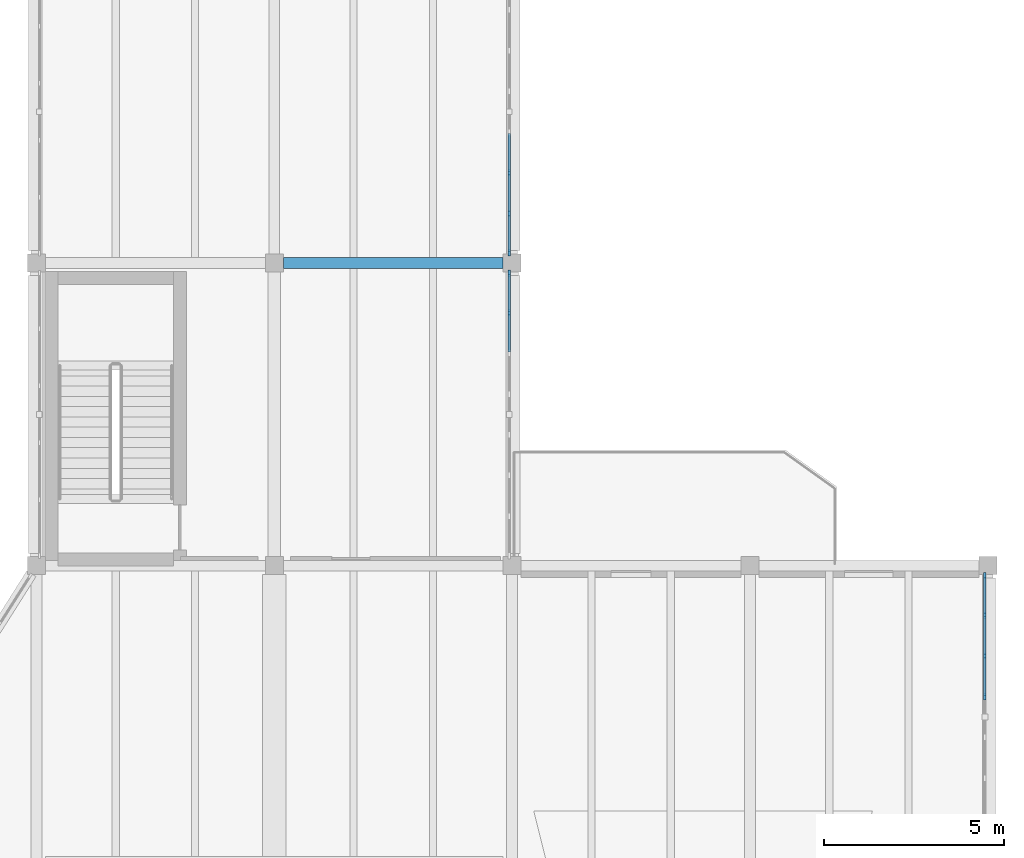
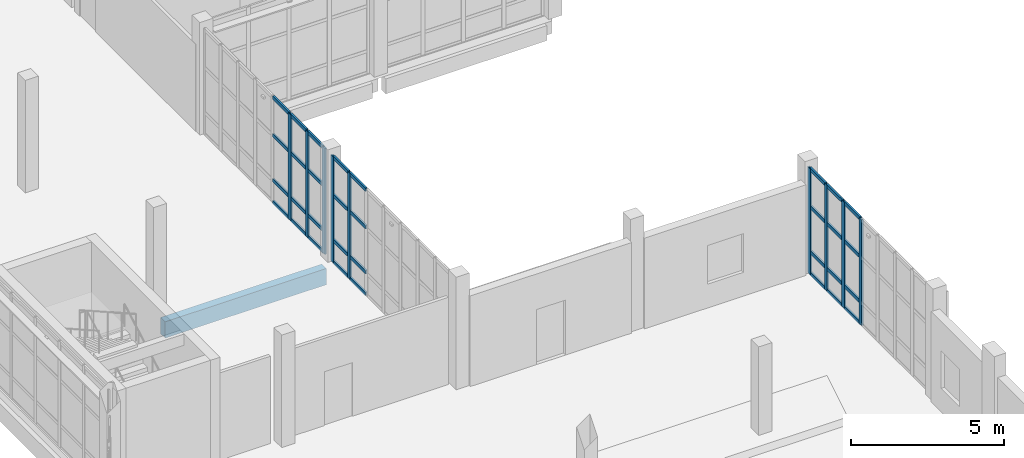
# One storey, part 26 of 76: 41 members, 1 beam, 3 elements without a shape of their own.
"""IFC4 building model written with IfcOpenShell, lengths in metres."""

import ifcopenshell
import ifcopenshell.guid

model = None  # the IFC model being written
_history = None  # IfcOwnerHistory: only IFC2X3 demands one
_inside = {}  # id of a spatial element -> (the spatial element, [elements in it])
_under = {}  # id of a project, library or spatial element -> (it, [spatial elements below it])
_declared = {}  # id of a project -> (the project, [libraries it declares])
_typed = {}  # id of a type object -> (the type object, [elements of that type])
_made_of = {}  # id of a material, layer set ... -> (it, [elements and type objects made of it])


def new_model(schema):
    """Start an empty IFC model of exactly this schema.

    Asked for "IFC4X3", IfcOpenShell would pick the latest addendum, in which some entities
    have other attributes; the version numbers below select the first issue.
    IFC2X3 requires an IfcOwnerHistory on every rooted entity: one is made here for all.
    """
    global model, _history
    if schema == "IFC4X3":
        model = ifcopenshell.file(schema_version=(4, 3, 0, 0))
    else:
        model = ifcopenshell.file(schema=schema)
    _inside.clear()
    _under.clear()
    _declared.clear()
    _typed.clear()
    _made_of.clear()
    _history = None
    if model.schema == "IFC2X3":
        org = make("IfcOrganization", Name="unknown")
        user = make(
            "IfcPersonAndOrganization",
            ThePerson=make("IfcPerson", FamilyName="unknown"),
            TheOrganization=org,
        )
        app = make(
            "IfcApplication",
            ApplicationDeveloper=org,
            Version="unknown",
            ApplicationFullName="unknown",
            ApplicationIdentifier="unknown",
        )
        _history = make(
            "IfcOwnerHistory",
            OwningUser=user,
            OwningApplication=app,
            ChangeAction="ADDED",
            CreationDate=0,
        )
    return model


def make(cls, **values):
    """One entity of the class cls with the attributes given. An attribute that is None is left unset."""
    return model.create_entity(
        cls, **{name: value for name, value in values.items() if value is not None}
    )


def rooted(cls, **values):
    """An entity with a GlobalId (a new one), such as an element, a storey or a relation."""
    return make(cls, GlobalId=ifcopenshell.guid.new(), OwnerHistory=_history, **values)


def si_unit(unit_type, name, prefix=None):
    """IfcSIUnit, for example si_unit("LENGTHUNIT", "METRE", prefix="MILLI")."""
    return make("IfcSIUnit", UnitType=unit_type, Prefix=prefix, Name=name)


def assignment(units):
    """IfcUnitAssignment: the units of a project."""
    return None if units is None else make("IfcUnitAssignment", Units=units)


def point(xyz):
    """IfcCartesianPoint."""
    return None if xyz is None else make("IfcCartesianPoint", Coordinates=xyz)


def direction(xyz):
    """IfcDirection."""
    return None if xyz is None else make("IfcDirection", DirectionRatios=xyz)


def frame(location, z_axis=None, x_axis=None):
    """IfcAxis2Placement3D, a coordinate frame: its origin and axes. An axis left out is left unset."""
    return make(
        "IfcAxis2Placement3D",
        Location=point(location),
        Axis=direction(z_axis),
        RefDirection=direction(x_axis),
    )


def frame_2d(location, x_axis=None):
    """IfcAxis2Placement2D, a coordinate frame in the plane: its origin and x axis."""
    return make(
        "IfcAxis2Placement2D", Location=point(location), RefDirection=direction(x_axis)
    )


def origin():
    """The frame at (0, 0, 0) with its axes left unset."""
    return frame((0.0, 0.0, 0.0))


def origin_2d():
    """The frame at (0, 0) in the plane with its x axis left unset."""
    return frame_2d((0.0, 0.0))


def place(relative_to, where):
    """IfcLocalPlacement: puts the frame where relative to a parent placement (None: the world)."""
    return make(
        "IfcLocalPlacement", PlacementRelTo=relative_to, RelativePlacement=where
    )


def context(
    kind, dimensions, precision=None, world=None, true_north=None, identifier=None
):
    """IfcGeometricRepresentationContext, for example the 3D "Model" context."""
    return make(
        "IfcGeometricRepresentationContext",
        ContextIdentifier=identifier,
        ContextType=kind,
        CoordinateSpaceDimension=dimensions,
        Precision=precision,
        WorldCoordinateSystem=world,
        TrueNorth=true_north,
    )


def subcontext(parent, identifier, kind, view, scale=None):
    """IfcGeometricRepresentationSubContext, for example "Body" below "Model"."""
    return make(
        "IfcGeometricRepresentationSubContext",
        ContextIdentifier=identifier,
        ContextType=kind,
        ParentContext=parent,
        TargetScale=scale,
        TargetView=view,
    )


def project(units=None, contexts=None):
    """IfcProject with its units and contexts."""
    return rooted(
        "IfcProject",
        Name="project",
        RepresentationContexts=contexts,
        UnitsInContext=assignment(units),
    )


def spatial(cls, under=None, at=None, **own):
    """A site, building, storey or space (cls), placed at a placement, below another one or the project."""
    s = rooted(cls, ObjectPlacement=at, **own)
    if under is not None:
        _under.setdefault(under.id(), (under, []))[1].append(s)
    return s


def profile(cls, at=None, kind="AREA", **sizes):
    """A parametric profile (cls). Its sizes go by their IFC names, for example OverallWidth=200.0."""
    return make(cls, ProfileType=kind, Position=at, **sizes)


def rectangle(**sizes):
    """IfcRectangleProfileDef."""
    return profile("IfcRectangleProfileDef", **sizes)


def extrude(swept, where, along, depth):
    """IfcExtrudedAreaSolid: the profile swept, set in the frame where, extruded along a direction by depth."""
    return make(
        "IfcExtrudedAreaSolid",
        SweptArea=swept,
        Position=where,
        ExtrudedDirection=direction(along),
        Depth=depth,
    )


def shape(context_of_items, identifier, shape_type, items):
    """IfcShapeRepresentation: the items that make up one representation, for example the "Body"."""
    return make(
        "IfcShapeRepresentation",
        ContextOfItems=context_of_items,
        RepresentationIdentifier=identifier,
        RepresentationType=shape_type,
        Items=items,
    )


def material(Name=None, Category=None):
    """IfcMaterial."""
    return make("IfcMaterial", Name=Name, Category=Category)


def material_profile(
    of_material, cross_section, Name=None, Category=None, Priority=None
):
    """IfcMaterialProfile: a cross section and its material."""
    return make(
        "IfcMaterialProfile",
        Name=Name,
        Material=of_material,
        Profile=cross_section,
        Priority=Priority,
        Category=Category,
    )


def profile_set(profiles, Name=None, composite=None):
    """IfcMaterialProfileSet."""
    return make(
        "IfcMaterialProfileSet",
        Name=Name,
        MaterialProfiles=profiles,
        CompositeProfile=composite,
    )


def made_of(thing, what):
    """Note that an element or type object is made of a material, layer set ...; save() writes the relation."""
    if what is not None:
        _made_of.setdefault(what.id(), (what, []))[1].append(thing)
    return thing


def type_object(cls, material=None, **own):
    """A type object (cls), such as IfcWallType, which elements share."""
    return made_of(rooted(cls, **own), material)


def element(
    cls,
    number,
    at=None,
    inside=None,
    cuts=None,
    type_object=None,
    material=None,
    context=None,
    identifier="Body",
    shape_type=None,
    held_by="IfcProductDefinitionShape",
    body=None,
    shapes=None,
    **own,
):
    """One element of the class cls, such as IfcWall. Its Tag is "e" and its number.

    at: its placement. inside: the storey or other place that contains it. cuts: it is an
    opening in that element (IfcRelVoidsElement). A single representation is given by context,
    identifier, shape_type and body (its items); several are given by shapes. held_by: the class
    of the entity that holds the representations. save() writes the other relations.
    """
    e = rooted(cls, Tag="e%d" % number, ObjectPlacement=at, **own)
    if body is not None:
        shapes = [shape(context, identifier, shape_type, body)]
    if shapes is not None:
        e.Representation = make(held_by, Representations=shapes)
    if inside is not None:
        _inside.setdefault(inside.id(), (inside, []))[1].append(e)
    if cuts is not None:
        rooted(
            "IfcRelVoidsElement", RelatingBuildingElement=cuts, RelatedOpeningElement=e
        )
    if type_object is not None:
        _typed.setdefault(type_object.id(), (type_object, []))[1].append(e)
    return made_of(e, material)


def aggregate(whole, parts):
    """IfcRelAggregates: a whole, such as a stair, and the parts it consists of."""
    return rooted("IfcRelAggregates", RelatingObject=whole, RelatedObjects=parts)


def save(model, path):
    """Write the relations noted so far, then the file.

    IfcRelAggregates (storeys below a building ...), IfcRelContainedInSpatialStructure (elements
    in a storey), IfcRelDefinesByType, IfcRelAssociatesMaterial and IfcRelDeclares: one each for
    every whole, place, type object, material and project.
    """
    for whole, parts in _under.values():
        aggregate(whole, parts)
    for where, things in _inside.values():
        rooted(
            "IfcRelContainedInSpatialStructure",
            RelatedElements=things,
            RelatingStructure=where,
        )
    for kind, things in _typed.values():
        rooted("IfcRelDefinesByType", RelatedObjects=things, RelatingType=kind)
    for what, things in _made_of.values():
        rooted("IfcRelAssociatesMaterial", RelatedObjects=things, RelatingMaterial=what)
    for by, libraries in _declared.values():
        rooted("IfcRelDeclares", RelatingContext=by, RelatedDefinitions=libraries)
    model.write(path)


model = new_model("IFC4")

# Units and contexts
model_context = context("Model", 3, precision=1e-05, world=origin(), true_north=direction((0.0, 1.0)))
body_context = subcontext(model_context, "Body", "Model", "MODEL_VIEW")
ifc_project = project(units=[si_unit("LENGTHUNIT", "METRE"), si_unit("AREAUNIT", "SQUARE_METRE"), si_unit("VOLUMEUNIT", "CUBIC_METRE"), si_unit("PLANEANGLEUNIT", "RADIAN"), si_unit("MASSUNIT", "GRAM", prefix="KILO")], contexts=[model_context])

# Site, building, storey
site_placement = place(None, origin())
site = spatial("IfcSite", under=ifc_project, at=site_placement, CompositionType="ELEMENT")
building_placement = place(site_placement, origin())
building = spatial("IfcBuilding", under=site, at=building_placement, Name="Qaldarim Faculty of Natural and Applied Sciences", CompositionType="ELEMENT")
storey_placement = place(building_placement, frame((0.0, 0.0, 9.89990234375)))
storey = spatial("IfcBuildingStorey", under=building, at=storey_placement, Name="L02", CompositionType="ELEMENT", Elevation=9.89990234375)

# Curtain wall, members
ifc_material_1 = material(Name="Anodised aluminium AW-6063", Category="aluminium")
curtain_wall_type = type_object("IfcCurtainWallType", Name="CurtainWallSystem-M1200", PredefinedType="USERDEFINED", material=ifc_material_1)
curtain_wall_1_placement = place(storey_placement, origin())
curtain_wall_1 = element("IfcCurtainWall", 1, at=curtain_wall_1_placement, inside=storey, type_object=curtain_wall_type, Name="Curtain wall CW-L02-E-X25Y11", ObjectType="STICK CURTAIN WALL", PredefinedType="USERDEFINED")
ifc_material_profile_1 = material_profile(ifc_material_1, rectangle(XDim=0.070068359375, YDim=0.179931640625, at=origin_2d()), Name="ALU-M70x180")
ifc_profile_set_1 = profile_set([ifc_material_profile_1], Name="Anodised aluminium AW-6063")
member_type_1 = type_object("IfcMemberType", Name="Mullion-ALU70x180", PredefinedType="MULLION", material=ifc_profile_set_1)
member_1_placement = place(storey_placement, frame((164.919921875, 91.02490234375, 0.0), z_axis=(0.0, 0.0, 1.0), x_axis=(-1.0, 0.0, 0.0)))
member_1 = element("IfcMember", 2, at=member_1_placement, type_object=member_type_1, Name="Mullion 7 of CW-L02-E-X25Y11", PredefinedType="MULLION", context=body_context, shape_type="SweptSolid", body=[
    extrude(rectangle(XDim=0.070068359375, YDim=0.179931640625, at=origin_2d()), origin(), (0.0, 0.0, 1.0), 4.239990234375),
])
member_2_placement = place(storey_placement, frame((164.919921875, 92.1201171875, 0.0), z_axis=(0.0, 0.0, 1.0), x_axis=(-1.0, 0.0, 0.0)))
member_2 = element("IfcMember", 3, at=member_2_placement, type_object=member_type_1, Name="Mullion 8 of CW-L02-E-X25Y11", PredefinedType="MULLION", context=body_context, shape_type="SweptSolid", body=[
    extrude(rectangle(XDim=0.070068359375, YDim=0.179931640625, at=origin_2d()), origin(), (0.0, 0.0, 1.0), 4.239990234375),
])

curtain_wall_2_placement = place(storey_placement, origin())
curtain_wall_2 = element("IfcCurtainWall", 4, at=curtain_wall_2_placement, inside=storey, type_object=curtain_wall_type, Name="Curtain wall CW-L02-E-X25Y12", ObjectType="STICK CURTAIN WALL", PredefinedType="USERDEFINED")
member_3_placement = place(storey_placement, frame((164.919921875, 92.679931640625, 0.0), z_axis=(0.0, 0.0, 1.0), x_axis=(-1.0, 0.0, 0.0)))
member_3 = element("IfcMember", 5, at=member_3_placement, type_object=member_type_1, Name="Mullion 1 of CW-L02-E-X25Y12", PredefinedType="MULLION", context=body_context, shape_type="SweptSolid", body=[
    extrude(rectangle(XDim=0.070068359375, YDim=0.179931640625, at=origin_2d()), origin(), (0.0, 0.0, 1.0), 4.239990234375),
])
member_4_placement = place(storey_placement, frame((164.919921875, 93.77490234375, 0.0), z_axis=(0.0, 0.0, 1.0), x_axis=(-1.0, 0.0, 0.0)))
member_4 = element("IfcMember", 6, at=member_4_placement, type_object=member_type_1, Name="Mullion 2 of CW-L02-E-X25Y12", PredefinedType="MULLION", context=body_context, shape_type="SweptSolid", body=[
    extrude(rectangle(XDim=0.070068359375, YDim=0.179931640625, at=origin_2d()), origin(), (0.0, 0.0, 1.0), 4.239990234375),
])
member_5_placement = place(storey_placement, frame((164.919921875, 94.905029296875, 0.0), z_axis=(0.0, 0.0, 1.0), x_axis=(-1.0, 0.0, 0.0)))
member_5 = element("IfcMember", 7, at=member_5_placement, type_object=member_type_1, Name="Mullion 3 of CW-L02-E-X25Y12", PredefinedType="MULLION", context=body_context, shape_type="SweptSolid", body=[
    extrude(rectangle(XDim=0.070068359375, YDim=0.179931640625, at=origin_2d()), origin(), (0.0, 0.0, 1.0), 4.239990234375),
])

curtain_wall_3_placement = place(storey_placement, origin())
curtain_wall_3 = element("IfcCurtainWall", 8, at=curtain_wall_3_placement, inside=storey, type_object=curtain_wall_type, Name="Curtain wall CW-L02-E-X27Y10", ObjectType="STICK CURTAIN WALL", PredefinedType="USERDEFINED")
member_6_placement = place(storey_placement, frame((178.1201171875, 80.364990234375, 0.0), z_axis=(0.0, 0.0, 1.0), x_axis=(-1.0, 0.0, 0.0)))
member_6 = element("IfcMember", 9, at=member_6_placement, type_object=member_type_1, Name="Mullion 5 of CW-L02-E-X27Y10", PredefinedType="MULLION", context=body_context, shape_type="SweptSolid", body=[
    extrude(rectangle(XDim=0.070068359375, YDim=0.179931640625, at=origin_2d()), origin(), (0.0, 0.0, 1.0), 4.239990234375),
])
member_7_placement = place(storey_placement, frame((178.1201171875, 81.4951171875, 0.0), z_axis=(0.0, 0.0, 1.0), x_axis=(-1.0, 0.0, 0.0)))
member_7 = element("IfcMember", 10, at=member_7_placement, type_object=member_type_1, Name="Mullion 6 of CW-L02-E-X27Y10", PredefinedType="MULLION", context=body_context, shape_type="SweptSolid", body=[
    extrude(rectangle(XDim=0.070068359375, YDim=0.179931640625, at=origin_2d()), origin(), (0.0, 0.0, 1.0), 4.239990234375),
])
member_8_placement = place(storey_placement, frame((178.1201171875, 82.625, 0.0), z_axis=(0.0, 0.0, 1.0), x_axis=(-1.0, 0.0, 0.0)))
member_8 = element("IfcMember", 11, at=member_8_placement, type_object=member_type_1, Name="Mullion 7 of CW-L02-E-X27Y10", PredefinedType="MULLION", context=body_context, shape_type="SweptSolid", body=[
    extrude(rectangle(XDim=0.070068359375, YDim=0.179931640625, at=origin_2d()), origin(), (0.0, 0.0, 1.0), 4.239990234375),
])
member_9_placement = place(storey_placement, frame((178.1201171875, 83.719970703125, 0.0), z_axis=(0.0, 0.0, 1.0), x_axis=(-1.0, 0.0, 0.0)))
member_9 = element("IfcMember", 12, at=member_9_placement, type_object=member_type_1, Name="Mullion 8 of CW-L02-E-X27Y10", PredefinedType="MULLION", context=body_context, shape_type="SweptSolid", body=[
    extrude(rectangle(XDim=0.070068359375, YDim=0.179931640625, at=origin_2d()), origin(), (0.0, 0.0, 1.0), 4.239990234375),
])

# Beam
ifc_material_2 = material(Name="Concrete C40/50", Category="concrete")
ifc_material_profile_2 = material_profile(ifc_material_2, rectangle(XDim=0.300048828125, YDim=0.64990234375, at=origin_2d()), Name="RC-B300x650")
ifc_profile_set_2 = profile_set([ifc_material_profile_2], Name="Concrete C40/50")
beam_type = type_object("IfcBeamType", Name="PrimaryBeam-RC300x650", PredefinedType="BEAM", material=ifc_profile_set_2)
beam_placement = place(storey_placement, frame((158.64990234375, 92.39990234375, -0.625), z_axis=(1.0, 0.0, 0.0), x_axis=(0.0, 1.0, 0.0)))
element("IfcBeam", 13, at=beam_placement, inside=storey, type_object=beam_type, Name="Beam RC-B300x650 L01 X25-X26/Y12", PredefinedType="BEAM", context=body_context, shape_type="SweptSolid", body=[
    extrude(rectangle(XDim=0.300048828125, YDim=0.64990234375, at=origin_2d()), origin(), (0.0, 0.0, 1.0), 6.10009765625),
])

# Member
ifc_material_profile_3 = material_profile(ifc_material_1, rectangle(XDim=0.070068359375, YDim=0.139892578125, at=origin_2d()), Name="ALU-T70x140")
ifc_profile_set_3 = profile_set([ifc_material_profile_3], Name="Anodised aluminium AW-6063")
member_type_2 = type_object("IfcMemberType", Name="Transom-ALU70x140", PredefinedType="USERDEFINED", material=ifc_profile_set_3)
member_10_placement = place(storey_placement, frame((164.919921875, 89.929931640625, 0.03515625), z_axis=(0.0, 1.0, 0.0), x_axis=(-1.0, 0.0, 0.0)))
member_10 = element("IfcMember", 14, at=member_10_placement, type_object=member_type_2, Name="Transom 6-1 of CW-L02-E-X25Y11", ObjectType="TRANSOM", PredefinedType="USERDEFINED", context=body_context, shape_type="SweptSolid", body=[
    extrude(rectangle(XDim=0.070068359375, YDim=0.139892578125, at=origin_2d()), origin(), (0.0, 0.0, 1.0), 1.06005859375),
])

member_11_placement = place(storey_placement, frame((164.919921875, 89.929931640625, 0.900146484375), z_axis=(0.0, 1.0, 0.0), x_axis=(-1.0, 0.0, 0.0)))
member_11 = element("IfcMember", 15, at=member_11_placement, type_object=member_type_2, Name="Transom 6-2 of CW-L02-E-X25Y11", ObjectType="TRANSOM", PredefinedType="USERDEFINED", context=body_context, shape_type="SweptSolid", body=[
    extrude(rectangle(XDim=0.070068359375, YDim=0.139892578125, at=origin_2d()), origin(), (0.0, 0.0, 1.0), 1.06005859375),
])

member_12_placement = place(storey_placement, frame((164.919921875, 89.929931640625, 2.7001953125), z_axis=(0.0, 1.0, 0.0), x_axis=(-1.0, 0.0, 0.0)))
member_12 = element("IfcMember", 16, at=member_12_placement, type_object=member_type_2, Name="Transom 6-3 of CW-L02-E-X25Y11", ObjectType="TRANSOM", PredefinedType="USERDEFINED", context=body_context, shape_type="SweptSolid", body=[
    extrude(rectangle(XDim=0.070068359375, YDim=0.139892578125, at=origin_2d()), origin(), (0.0, 0.0, 1.0), 1.06005859375),
])

member_13_placement = place(storey_placement, frame((164.919921875, 89.929931640625, 4.205078125), z_axis=(0.0, 1.0, 0.0), x_axis=(-1.0, 0.0, 0.0)))
member_13 = element("IfcMember", 17, at=member_13_placement, type_object=member_type_2, Name="Transom 6-4 of CW-L02-E-X25Y11", ObjectType="TRANSOM", PredefinedType="USERDEFINED", context=body_context, shape_type="SweptSolid", body=[
    extrude(rectangle(XDim=0.070068359375, YDim=0.139892578125, at=origin_2d()), origin(), (0.0, 0.0, 1.0), 1.06005859375),
])

member_14_placement = place(storey_placement, frame((164.919921875, 91.06005859375, 0.03515625), z_axis=(0.0, 1.0, 0.0), x_axis=(-1.0, 0.0, 0.0)))
member_14 = element("IfcMember", 18, at=member_14_placement, type_object=member_type_2, Name="Transom 7-1 of CW-L02-E-X25Y11", ObjectType="TRANSOM", PredefinedType="USERDEFINED", context=body_context, shape_type="SweptSolid", body=[
    extrude(rectangle(XDim=0.070068359375, YDim=0.139892578125, at=origin_2d()), origin(), (0.0, 0.0, 1.0), 1.02490234375),
])

member_15_placement = place(storey_placement, frame((164.919921875, 91.06005859375, 0.900146484375), z_axis=(0.0, 1.0, 0.0), x_axis=(-1.0, 0.0, 0.0)))
member_15 = element("IfcMember", 19, at=member_15_placement, type_object=member_type_2, Name="Transom 7-2 of CW-L02-E-X25Y11", ObjectType="TRANSOM", PredefinedType="USERDEFINED", context=body_context, shape_type="SweptSolid", body=[
    extrude(rectangle(XDim=0.070068359375, YDim=0.139892578125, at=origin_2d()), origin(), (0.0, 0.0, 1.0), 1.02490234375),
])

member_16_placement = place(storey_placement, frame((164.919921875, 91.06005859375, 2.7001953125), z_axis=(0.0, 1.0, 0.0), x_axis=(-1.0, 0.0, 0.0)))
member_16 = element("IfcMember", 20, at=member_16_placement, type_object=member_type_2, Name="Transom 7-3 of CW-L02-E-X25Y11", ObjectType="TRANSOM", PredefinedType="USERDEFINED", context=body_context, shape_type="SweptSolid", body=[
    extrude(rectangle(XDim=0.070068359375, YDim=0.139892578125, at=origin_2d()), origin(), (0.0, 0.0, 1.0), 1.02490234375),
])

member_17_placement = place(storey_placement, frame((164.919921875, 91.06005859375, 4.205078125), z_axis=(0.0, 1.0, 0.0), x_axis=(-1.0, 0.0, 0.0)))
member_17 = element("IfcMember", 21, at=member_17_placement, type_object=member_type_2, Name="Transom 7-4 of CW-L02-E-X25Y11", ObjectType="TRANSOM", PredefinedType="USERDEFINED", context=body_context, shape_type="SweptSolid", body=[
    extrude(rectangle(XDim=0.070068359375, YDim=0.139892578125, at=origin_2d()), origin(), (0.0, 0.0, 1.0), 1.02490234375),
])

aggregate(curtain_wall_1, [member_1, member_2, member_10, member_11, member_12, member_13, member_14, member_15, member_16, member_17])

member_18_placement = place(storey_placement, frame((164.919921875, 92.715087890625, 0.03515625), z_axis=(0.0, 1.0, 0.0), x_axis=(-1.0, 0.0, 0.0)))
member_18 = element("IfcMember", 22, at=member_18_placement, type_object=member_type_2, Name="Transom 1-1 of CW-L02-E-X25Y12", ObjectType="TRANSOM", PredefinedType="USERDEFINED", context=body_context, shape_type="SweptSolid", body=[
    extrude(rectangle(XDim=0.070068359375, YDim=0.139892578125, at=origin_2d()), origin(), (0.0, 0.0, 1.0), 1.02490234375),
])

member_19_placement = place(storey_placement, frame((164.919921875, 92.715087890625, 0.900146484375), z_axis=(0.0, 1.0, 0.0), x_axis=(-1.0, 0.0, 0.0)))
member_19 = element("IfcMember", 23, at=member_19_placement, type_object=member_type_2, Name="Transom 1-2 of CW-L02-E-X25Y12", ObjectType="TRANSOM", PredefinedType="USERDEFINED", context=body_context, shape_type="SweptSolid", body=[
    extrude(rectangle(XDim=0.070068359375, YDim=0.139892578125, at=origin_2d()), origin(), (0.0, 0.0, 1.0), 1.02490234375),
])

member_20_placement = place(storey_placement, frame((164.919921875, 92.715087890625, 2.7001953125), z_axis=(0.0, 1.0, 0.0), x_axis=(-1.0, 0.0, 0.0)))
member_20 = element("IfcMember", 24, at=member_20_placement, type_object=member_type_2, Name="Transom 1-3 of CW-L02-E-X25Y12", ObjectType="TRANSOM", PredefinedType="USERDEFINED", context=body_context, shape_type="SweptSolid", body=[
    extrude(rectangle(XDim=0.070068359375, YDim=0.139892578125, at=origin_2d()), origin(), (0.0, 0.0, 1.0), 1.02490234375),
])

member_21_placement = place(storey_placement, frame((164.919921875, 92.715087890625, 4.205078125), z_axis=(0.0, 1.0, 0.0), x_axis=(-1.0, 0.0, 0.0)))
member_21 = element("IfcMember", 25, at=member_21_placement, type_object=member_type_2, Name="Transom 1-4 of CW-L02-E-X25Y12", ObjectType="TRANSOM", PredefinedType="USERDEFINED", context=body_context, shape_type="SweptSolid", body=[
    extrude(rectangle(XDim=0.070068359375, YDim=0.139892578125, at=origin_2d()), origin(), (0.0, 0.0, 1.0), 1.02490234375),
])

member_22_placement = place(storey_placement, frame((164.919921875, 93.81005859375, 0.03515625), z_axis=(0.0, 1.0, 0.0), x_axis=(-1.0, 0.0, 0.0)))
member_22 = element("IfcMember", 26, at=member_22_placement, type_object=member_type_2, Name="Transom 2-1 of CW-L02-E-X25Y12", ObjectType="TRANSOM", PredefinedType="USERDEFINED", context=body_context, shape_type="SweptSolid", body=[
    extrude(rectangle(XDim=0.070068359375, YDim=0.139892578125, at=origin_2d()), origin(), (0.0, 0.0, 1.0), 1.06005859375),
])

member_23_placement = place(storey_placement, frame((164.919921875, 93.81005859375, 0.900146484375), z_axis=(0.0, 1.0, 0.0), x_axis=(-1.0, 0.0, 0.0)))
member_23 = element("IfcMember", 27, at=member_23_placement, type_object=member_type_2, Name="Transom 2-2 of CW-L02-E-X25Y12", ObjectType="TRANSOM", PredefinedType="USERDEFINED", context=body_context, shape_type="SweptSolid", body=[
    extrude(rectangle(XDim=0.070068359375, YDim=0.139892578125, at=origin_2d()), origin(), (0.0, 0.0, 1.0), 1.06005859375),
])

member_24_placement = place(storey_placement, frame((164.919921875, 93.81005859375, 2.7001953125), z_axis=(0.0, 1.0, 0.0), x_axis=(-1.0, 0.0, 0.0)))
member_24 = element("IfcMember", 28, at=member_24_placement, type_object=member_type_2, Name="Transom 2-3 of CW-L02-E-X25Y12", ObjectType="TRANSOM", PredefinedType="USERDEFINED", context=body_context, shape_type="SweptSolid", body=[
    extrude(rectangle(XDim=0.070068359375, YDim=0.139892578125, at=origin_2d()), origin(), (0.0, 0.0, 1.0), 1.06005859375),
])

member_25_placement = place(storey_placement, frame((164.919921875, 93.81005859375, 4.205078125), z_axis=(0.0, 1.0, 0.0), x_axis=(-1.0, 0.0, 0.0)))
member_25 = element("IfcMember", 29, at=member_25_placement, type_object=member_type_2, Name="Transom 2-4 of CW-L02-E-X25Y12", ObjectType="TRANSOM", PredefinedType="USERDEFINED", context=body_context, shape_type="SweptSolid", body=[
    extrude(rectangle(XDim=0.070068359375, YDim=0.139892578125, at=origin_2d()), origin(), (0.0, 0.0, 1.0), 1.06005859375),
])

member_26_placement = place(storey_placement, frame((164.919921875, 94.93994140625, 0.03515625), z_axis=(0.0, 1.0, 0.0), x_axis=(-1.0, 0.0, 0.0)))
member_26 = element("IfcMember", 30, at=member_26_placement, type_object=member_type_2, Name="Transom 3-1 of CW-L02-E-X25Y12", ObjectType="TRANSOM", PredefinedType="USERDEFINED", context=body_context, shape_type="SweptSolid", body=[
    extrude(rectangle(XDim=0.070068359375, YDim=0.139892578125, at=origin_2d()), origin(), (0.0, 0.0, 1.0), 1.06005859375),
])

member_27_placement = place(storey_placement, frame((164.919921875, 94.93994140625, 0.900146484375), z_axis=(0.0, 1.0, 0.0), x_axis=(-1.0, 0.0, 0.0)))
member_27 = element("IfcMember", 31, at=member_27_placement, type_object=member_type_2, Name="Transom 3-2 of CW-L02-E-X25Y12", ObjectType="TRANSOM", PredefinedType="USERDEFINED", context=body_context, shape_type="SweptSolid", body=[
    extrude(rectangle(XDim=0.070068359375, YDim=0.139892578125, at=origin_2d()), origin(), (0.0, 0.0, 1.0), 1.06005859375),
])

member_28_placement = place(storey_placement, frame((164.919921875, 94.93994140625, 2.7001953125), z_axis=(0.0, 1.0, 0.0), x_axis=(-1.0, 0.0, 0.0)))
member_28 = element("IfcMember", 32, at=member_28_placement, type_object=member_type_2, Name="Transom 3-3 of CW-L02-E-X25Y12", ObjectType="TRANSOM", PredefinedType="USERDEFINED", context=body_context, shape_type="SweptSolid", body=[
    extrude(rectangle(XDim=0.070068359375, YDim=0.139892578125, at=origin_2d()), origin(), (0.0, 0.0, 1.0), 1.06005859375),
])

member_29_placement = place(storey_placement, frame((164.919921875, 94.93994140625, 4.205078125), z_axis=(0.0, 1.0, 0.0), x_axis=(-1.0, 0.0, 0.0)))
member_29 = element("IfcMember", 33, at=member_29_placement, type_object=member_type_2, Name="Transom 3-4 of CW-L02-E-X25Y12", ObjectType="TRANSOM", PredefinedType="USERDEFINED", context=body_context, shape_type="SweptSolid", body=[
    extrude(rectangle(XDim=0.070068359375, YDim=0.139892578125, at=origin_2d()), origin(), (0.0, 0.0, 1.0), 1.06005859375),
])

aggregate(curtain_wall_2, [member_3, member_4, member_5, member_18, member_19, member_20, member_21, member_22, member_23, member_24, member_25, member_26, member_27, member_28, member_29])

member_30_placement = place(storey_placement, frame((178.1201171875, 80.39990234375, 0.03515625), z_axis=(0.0, 1.0, 0.0), x_axis=(-1.0, 0.0, 0.0)))
member_30 = element("IfcMember", 34, at=member_30_placement, type_object=member_type_2, Name="Transom 5-1 of CW-L02-E-X27Y10", ObjectType="TRANSOM", PredefinedType="USERDEFINED", context=body_context, shape_type="SweptSolid", body=[
    extrude(rectangle(XDim=0.070068359375, YDim=0.139892578125, at=origin_2d()), origin(), (0.0, 0.0, 1.0), 1.06005859375),
])

member_31_placement = place(storey_placement, frame((178.1201171875, 80.39990234375, 0.900146484375), z_axis=(0.0, 1.0, 0.0), x_axis=(-1.0, 0.0, 0.0)))
member_31 = element("IfcMember", 35, at=member_31_placement, type_object=member_type_2, Name="Transom 5-2 of CW-L02-E-X27Y10", ObjectType="TRANSOM", PredefinedType="USERDEFINED", context=body_context, shape_type="SweptSolid", body=[
    extrude(rectangle(XDim=0.070068359375, YDim=0.139892578125, at=origin_2d()), origin(), (0.0, 0.0, 1.0), 1.06005859375),
])

member_32_placement = place(storey_placement, frame((178.1201171875, 80.39990234375, 2.7001953125), z_axis=(0.0, 1.0, 0.0), x_axis=(-1.0, 0.0, 0.0)))
member_32 = element("IfcMember", 36, at=member_32_placement, type_object=member_type_2, Name="Transom 5-3 of CW-L02-E-X27Y10", ObjectType="TRANSOM", PredefinedType="USERDEFINED", context=body_context, shape_type="SweptSolid", body=[
    extrude(rectangle(XDim=0.070068359375, YDim=0.139892578125, at=origin_2d()), origin(), (0.0, 0.0, 1.0), 1.06005859375),
])

member_33_placement = place(storey_placement, frame((178.1201171875, 80.39990234375, 4.205078125), z_axis=(0.0, 1.0, 0.0), x_axis=(-1.0, 0.0, 0.0)))
member_33 = element("IfcMember", 37, at=member_33_placement, type_object=member_type_2, Name="Transom 5-4 of CW-L02-E-X27Y10", ObjectType="TRANSOM", PredefinedType="USERDEFINED", context=body_context, shape_type="SweptSolid", body=[
    extrude(rectangle(XDim=0.070068359375, YDim=0.139892578125, at=origin_2d()), origin(), (0.0, 0.0, 1.0), 1.06005859375),
])

member_34_placement = place(storey_placement, frame((178.1201171875, 81.530029296875, 0.03515625), z_axis=(0.0, 1.0, 0.0), x_axis=(-1.0, 0.0, 0.0)))
member_34 = element("IfcMember", 38, at=member_34_placement, type_object=member_type_2, Name="Transom 6-1 of CW-L02-E-X27Y10", ObjectType="TRANSOM", PredefinedType="USERDEFINED", context=body_context, shape_type="SweptSolid", body=[
    extrude(rectangle(XDim=0.070068359375, YDim=0.139892578125, at=origin_2d()), origin(), (0.0, 0.0, 1.0), 1.06005859375),
])

member_35_placement = place(storey_placement, frame((178.1201171875, 81.530029296875, 0.900146484375), z_axis=(0.0, 1.0, 0.0), x_axis=(-1.0, 0.0, 0.0)))
member_35 = element("IfcMember", 39, at=member_35_placement, type_object=member_type_2, Name="Transom 6-2 of CW-L02-E-X27Y10", ObjectType="TRANSOM", PredefinedType="USERDEFINED", context=body_context, shape_type="SweptSolid", body=[
    extrude(rectangle(XDim=0.070068359375, YDim=0.139892578125, at=origin_2d()), origin(), (0.0, 0.0, 1.0), 1.06005859375),
])

member_36_placement = place(storey_placement, frame((178.1201171875, 81.530029296875, 2.7001953125), z_axis=(0.0, 1.0, 0.0), x_axis=(-1.0, 0.0, 0.0)))
member_36 = element("IfcMember", 40, at=member_36_placement, type_object=member_type_2, Name="Transom 6-3 of CW-L02-E-X27Y10", ObjectType="TRANSOM", PredefinedType="USERDEFINED", context=body_context, shape_type="SweptSolid", body=[
    extrude(rectangle(XDim=0.070068359375, YDim=0.139892578125, at=origin_2d()), origin(), (0.0, 0.0, 1.0), 1.06005859375),
])

member_37_placement = place(storey_placement, frame((178.1201171875, 81.530029296875, 4.205078125), z_axis=(0.0, 1.0, 0.0), x_axis=(-1.0, 0.0, 0.0)))
member_37 = element("IfcMember", 41, at=member_37_placement, type_object=member_type_2, Name="Transom 6-4 of CW-L02-E-X27Y10", ObjectType="TRANSOM", PredefinedType="USERDEFINED", context=body_context, shape_type="SweptSolid", body=[
    extrude(rectangle(XDim=0.070068359375, YDim=0.139892578125, at=origin_2d()), origin(), (0.0, 0.0, 1.0), 1.06005859375),
])

member_38_placement = place(storey_placement, frame((178.1201171875, 82.659912109375, 0.03515625), z_axis=(0.0, 1.0, 0.0), x_axis=(-1.0, 0.0, 0.0)))
member_38 = element("IfcMember", 42, at=member_38_placement, type_object=member_type_2, Name="Transom 7-1 of CW-L02-E-X27Y10", ObjectType="TRANSOM", PredefinedType="USERDEFINED", context=body_context, shape_type="SweptSolid", body=[
    extrude(rectangle(XDim=0.070068359375, YDim=0.139892578125, at=origin_2d()), origin(), (0.0, 0.0, 1.0), 1.025146484375),
])

member_39_placement = place(storey_placement, frame((178.1201171875, 82.659912109375, 0.900146484375), z_axis=(0.0, 1.0, 0.0), x_axis=(-1.0, 0.0, 0.0)))
member_39 = element("IfcMember", 43, at=member_39_placement, type_object=member_type_2, Name="Transom 7-2 of CW-L02-E-X27Y10", ObjectType="TRANSOM", PredefinedType="USERDEFINED", context=body_context, shape_type="SweptSolid", body=[
    extrude(rectangle(XDim=0.070068359375, YDim=0.139892578125, at=origin_2d()), origin(), (0.0, 0.0, 1.0), 1.025146484375),
])

member_40_placement = place(storey_placement, frame((178.1201171875, 82.659912109375, 2.7001953125), z_axis=(0.0, 1.0, 0.0), x_axis=(-1.0, 0.0, 0.0)))
member_40 = element("IfcMember", 44, at=member_40_placement, type_object=member_type_2, Name="Transom 7-3 of CW-L02-E-X27Y10", ObjectType="TRANSOM", PredefinedType="USERDEFINED", context=body_context, shape_type="SweptSolid", body=[
    extrude(rectangle(XDim=0.070068359375, YDim=0.139892578125, at=origin_2d()), origin(), (0.0, 0.0, 1.0), 1.025146484375),
])

member_41_placement = place(storey_placement, frame((178.1201171875, 82.659912109375, 4.205078125), z_axis=(0.0, 1.0, 0.0), x_axis=(-1.0, 0.0, 0.0)))
member_41 = element("IfcMember", 45, at=member_41_placement, type_object=member_type_2, Name="Transom 7-4 of CW-L02-E-X27Y10", ObjectType="TRANSOM", PredefinedType="USERDEFINED", context=body_context, shape_type="SweptSolid", body=[
    extrude(rectangle(XDim=0.070068359375, YDim=0.139892578125, at=origin_2d()), origin(), (0.0, 0.0, 1.0), 1.025146484375),
])

aggregate(curtain_wall_3, [member_6, member_7, member_8, member_9, member_30, member_31, member_32, member_33, member_34, member_35, member_36, member_37, member_38, member_39, member_40, member_41])

save(model, "model.ifc")
